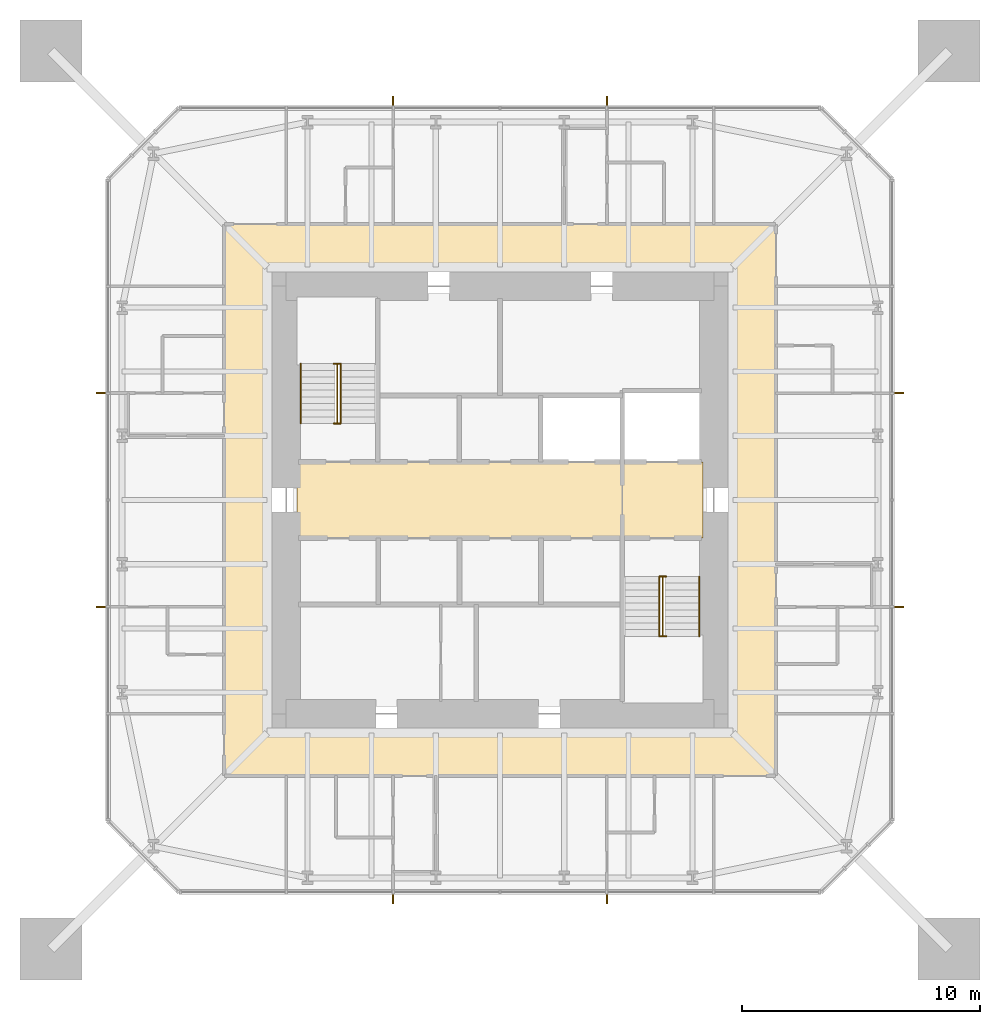
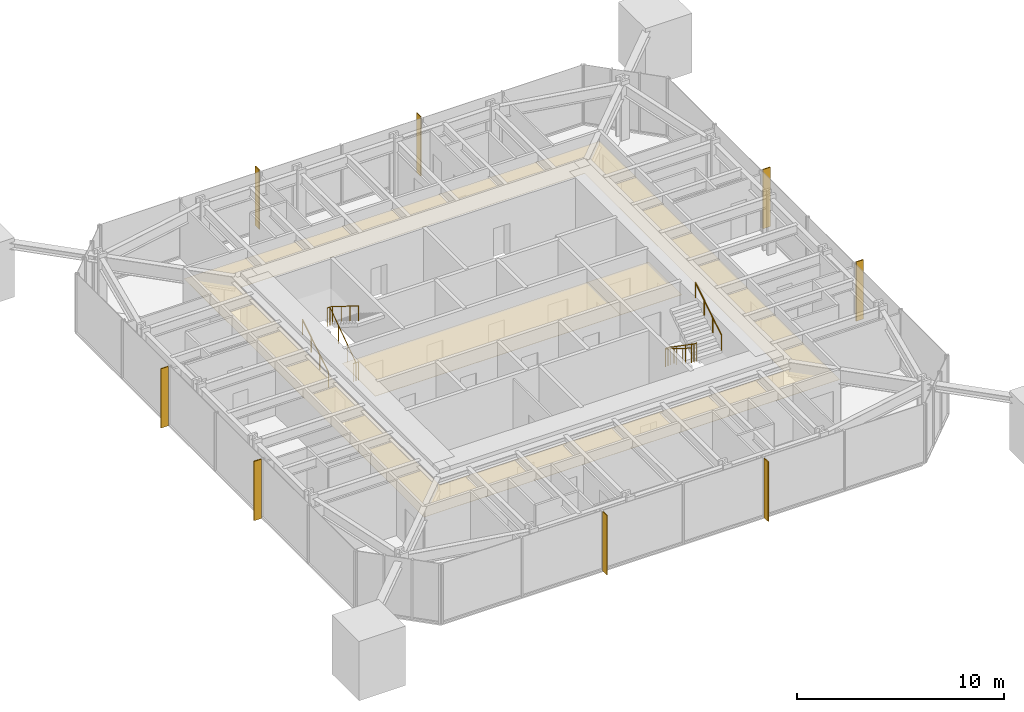
# One storey, part 9 of 9: 8 shading devices, 6 railings, 3 coverings.
"""IFC4 building model written with IfcOpenShell, lengths in metres."""

from ifc_helpers import new_model, si_unit, direction, frame, origin, origin_2d, place, context, subcontext, project, spatial, polyline, rectangle, circle, outline, extrude, material, layer, layer_set, constituent, constituent_set, type_object, element, save


model = new_model("IFC4")

# Units and contexts
model_context = context("Model", 3, precision=1e-05, world=origin(), true_north=direction((0.0, 1.0)))
body_context = subcontext(model_context, "Body", "Model", "MODEL_VIEW")
ifc_project = project(units=[si_unit("LENGTHUNIT", "METRE"), si_unit("AREAUNIT", "SQUARE_METRE"), si_unit("VOLUMEUNIT", "CUBIC_METRE"), si_unit("PLANEANGLEUNIT", "RADIAN"), si_unit("MASSUNIT", "GRAM", prefix="KILO")], contexts=[model_context])

# Site, building, storey
site_placement = place(None, origin())
site = spatial("IfcSite", under=ifc_project, at=site_placement, CompositionType="ELEMENT")
building_placement = place(site_placement, origin())
building = spatial("IfcBuilding", under=site, at=building_placement, Name="Iwan Alto Co-Living Towers", CompositionType="ELEMENT")
storey_placement = place(building_placement, frame((0.0, 0.0, 243.0)))
storey = spatial("IfcBuildingStorey", under=building, at=storey_placement, Name="L66", CompositionType="ELEMENT", Elevation=243.0)

# Coverings
ifc_material_1 = material(Name="Mineral fibre acoustic tiles on steel grid", Category="steel")
ifc_layer_1 = layer(ifc_material_1, 0.02001953125)
ifc_layer_set_1 = layer_set([ifc_layer_1], Name="ACOUSTIC TILE CEILING 20")
covering_type_1 = type_object("IfcCoveringType", Name="ACOUSTIC TILE CEILING 20", PredefinedType="CEILING", material=ifc_layer_set_1)
covering_1_placement = place(storey_placement, frame((0.0, 0.0, 2.60009765625)))
element("IfcCovering", 1, at=covering_1_placement, inside=storey, type_object=covering_type_1, Name="Ceiling Lift lobby L66", PredefinedType="CEILING", context=body_context, shape_type="SweptSolid", body=[
    extrude(outline(polyline([(-8.550048828125, -1.60009765625), (-8.550048828125, 1.60009765625), (5.14990234375, 1.60009765625), (5.14990234375, -1.60009765625), (-8.550048828125, -1.60009765625)])), origin(), (0.0, 0.0, 1.0), 0.02001953125),
])
covering_2_placement = place(storey_placement, frame((0.0, 0.0, 2.60009765625)))
element("IfcCovering", 2, at=covering_2_placement, inside=storey, type_object=covering_type_1, Name="Ceiling Firefighting lobby L66", PredefinedType="CEILING", context=body_context, shape_type="SweptSolid", body=[
    extrude(outline(polyline([(5.14990234375, -1.60009765625), (5.14990234375, 1.60009765625), (8.550048828125, 1.60009765625), (8.550048828125, -1.60009765625), (5.14990234375, -1.60009765625)])), origin(), (0.0, 0.0, 1.0), 0.02001953125),
])

# Shading devices
ifc_material_2 = material(Name="Aluminium 6063-T6 bronze anodised", Category="aluminium")
ifc_layer_2 = layer(ifc_material_2, 0.050048828125)
ifc_layer_set_2 = layer_set([ifc_layer_2], Name="BRONZE FIN 50X400")
shading_device_type = type_object("IfcShadingDeviceType", Name="BRONZE FIN 50X400", PredefinedType="USERDEFINED", material=ifc_layer_set_2)
for number, where, z_axis, x_axis, name in (
    (3, (-4.5, -16.800048828125, 0.0), (0.0, 0.0, 1.0), (1.0, 0.0, 0.0), "Bronze fin L66"),
    (4, (4.5, -16.800048828125, 0.0), (0.0, 0.0, 1.0), (1.0, 0.0, 0.0), "Bronze fin L66"),
    (5, (16.800048828125, -4.5, 0.0), (0.0, 0.0, 1.0), (0.0, 1.0, 0.0), "Bronze fin L66"),
    (6, (16.800048828125, 4.5, 0.0), (0.0, 0.0, 1.0), (0.0, 1.0, 0.0), "Bronze fin L66"),
    (7, (4.5, 16.800048828125, 0.0), (0.0, 0.0, 1.0), (-1.0, 0.0, 0.0), "Bronze fin L66"),
    (8, (-4.5, 16.800048828125, 0.0), (0.0, 0.0, 1.0), (-1.0, 0.0, 0.0), "Bronze fin L66"),
    (9, (-16.800048828125, 4.5, 0.0), (0.0, 0.0, 1.0), (0.0, -1.0, 0.0), "Bronze fin L66"),
    (10, (-16.800048828125, -4.5, 0.0), (0.0, 0.0, 1.0), (0.0, -1.0, 0.0), "Bronze fin L66"),
):
    element("IfcShadingDevice", number, at=place(storey_placement, frame(where, z_axis=z_axis, x_axis=x_axis)), inside=storey, type_object=shading_device_type, Name=name, ObjectType="LOUVER", PredefinedType="USERDEFINED", context=body_context, shape_type="SweptSolid", body=[
        extrude(rectangle(XDim=0.050048828125, YDim=0.39990234375, at=origin_2d()), origin(), (0.0, 0.0, 1.0), 3.5),
    ])

# Railings
ifc_material_3 = material(Name="Steel ASTM A500 Gr C", Category="steel")
ifc_constituent_1 = constituent(ifc_material_3, Name="Rails and posts", Category="Framing")
ifc_material_4 = material(Name="Steel ASTM A36", Category="steel")
ifc_constituent_2 = constituent(ifc_material_4, Name="Bar infill", Category="Infill")
ifc_constituent_set = constituent_set(constituents=[ifc_constituent_1, ifc_constituent_2], Name="STAIR GUARD 1100")
railing_type_1 = type_object("IfcRailingType", Name="STAIR GUARD 1100", PredefinedType="GUARDRAIL", material=ifc_constituent_set)
railing_1_placement = place(storey_placement, frame((-6.85009765625, 3.219970703125, 0.0)))
element("IfcRailing", 11, at=railing_1_placement, inside=storey, type_object=railing_type_1, Name="Stair T1-S1 well guard L66", PredefinedType="GUARDRAIL", context=body_context, shape_type="SweptSolid", body=[
    extrude(circle(Radius=0.02392578125, at=origin_2d()), frame((0.0, 0.0, 1.076171875), z_axis=(0.0, 0.821372036852, 0.570392826987), x_axis=(-1.0, 0.0, 0.0)), (0.0, 0.0, 1.0), 3.068115234375),
    extrude(circle(Radius=0.02392578125, at=origin_2d()), frame((-0.14990234375, 0.0, 1.076171875), z_axis=(1.0, 0.0, 0.0), x_axis=(0.0, 1.0, 0.0)), (0.0, 0.0, 1.0), 0.300048828125),
    extrude(circle(Radius=0.02392578125, at=origin_2d()), frame((-0.14990234375, 2.52001953125, 2.826171875), z_axis=(1.0, 0.0, 0.0), x_axis=(0.0, 1.0, 0.0)), (0.0, 0.0, 1.0), 0.300048828125),
    extrude(circle(Radius=0.02099609375, at=origin_2d()), origin(), (0.0, 0.0, 1.0), 1.052001953125),
    extrude(circle(Radius=0.02099609375, at=origin_2d()), frame((0.0, 0.840087890625, 0.583251953125)), (0.0, 0.0, 1.0), 1.052001953125),
    extrude(circle(Radius=0.02099609375, at=origin_2d()), frame((0.0, 1.679931640625, 1.166748046875)), (0.0, 0.0, 1.0), 1.052001953125),
    extrude(circle(Radius=0.02099609375, at=origin_2d()), frame((0.0, 2.52001953125, 1.75)), (0.0, 0.0, 1.0), 1.052001953125),
    extrude(circle(Radius=0.02099609375, at=origin_2d()), frame((-0.14990234375, 0.0, 0.0)), (0.0, 0.0, 1.0), 1.052001953125),
    extrude(circle(Radius=0.02099609375, at=origin_2d()), frame((0.150146484375, 0.0, 0.0)), (0.0, 0.0, 1.0), 1.052001953125),
    extrude(circle(Radius=0.02099609375, at=origin_2d()), frame((-0.14990234375, 2.52001953125, 1.75)), (0.0, 0.0, 1.0), 1.052001953125),
    extrude(circle(Radius=0.02099609375, at=origin_2d()), frame((0.150146484375, 2.52001953125, 1.75)), (0.0, 0.0, 1.0), 1.052001953125),
])
railing_2_placement = place(storey_placement, frame((6.85009765625, -3.219970703125, 0.0)))
element("IfcRailing", 12, at=railing_2_placement, inside=storey, type_object=railing_type_1, Name="Stair T1-S2 well guard L66", PredefinedType="GUARDRAIL", context=body_context, shape_type="SweptSolid", body=[
    extrude(circle(Radius=0.02392578125, at=origin_2d()), frame((0.0, 0.0, 1.076171875), z_axis=(0.0, -0.821372036852, 0.570392826987), x_axis=(1.0, 0.0, 0.0)), (0.0, 0.0, 1.0), 3.068115234375),
    extrude(circle(Radius=0.02392578125, at=origin_2d()), frame((-0.150146484375, 0.0, 1.076171875), z_axis=(1.0, 0.0, 0.0), x_axis=(0.0, 1.0, 0.0)), (0.0, 0.0, 1.0), 0.300048828125),
    extrude(circle(Radius=0.02392578125, at=origin_2d()), frame((-0.150146484375, -2.52001953125, 2.826171875), z_axis=(1.0, 0.0, 0.0), x_axis=(0.0, 1.0, 0.0)), (0.0, 0.0, 1.0), 0.300048828125),
    extrude(circle(Radius=0.02099609375, at=origin_2d()), origin(), (0.0, 0.0, 1.0), 1.052001953125),
    extrude(circle(Radius=0.02099609375, at=origin_2d()), frame((0.0, -0.840087890625, 0.583251953125)), (0.0, 0.0, 1.0), 1.052001953125),
    extrude(circle(Radius=0.02099609375, at=origin_2d()), frame((0.0, -1.679931640625, 1.166748046875)), (0.0, 0.0, 1.0), 1.052001953125),
    extrude(circle(Radius=0.02099609375, at=origin_2d()), frame((0.0, -2.52001953125, 1.75)), (0.0, 0.0, 1.0), 1.052001953125),
    extrude(circle(Radius=0.02099609375, at=origin_2d()), frame((-0.150146484375, 0.0, 0.0)), (0.0, 0.0, 1.0), 1.052001953125),
    extrude(circle(Radius=0.02099609375, at=origin_2d()), frame((0.14990234375, 0.0, 0.0)), (0.0, 0.0, 1.0), 1.052001953125),
    extrude(circle(Radius=0.02099609375, at=origin_2d()), frame((-0.150146484375, -2.52001953125, 1.75)), (0.0, 0.0, 1.0), 1.052001953125),
    extrude(circle(Radius=0.02099609375, at=origin_2d()), frame((0.14990234375, -2.52001953125, 1.75)), (0.0, 0.0, 1.0), 1.052001953125),
])
ifc_material_5 = material(Name="Steel ASTM A500 Gr C", Category="steel")
railing_type_2 = type_object("IfcRailingType", Name="STAIR HANDRAIL 900", PredefinedType="HANDRAIL", material=ifc_material_5)
railing_3_placement = place(storey_placement, frame((-8.3798828125, 3.219970703125, 0.175048828125)))
element("IfcRailing", 13, at=railing_3_placement, inside=storey, type_object=railing_type_2, Name="Stair T1-S1 handrail 1 L66", PredefinedType="HANDRAIL", context=body_context, shape_type="SweptSolid", body=[
    extrude(circle(Radius=0.02392578125, at=origin_2d()), frame((0.0, 0.0, 0.8759765625), z_axis=(0.0, 0.848007534815, 0.529984170421), x_axis=(-1.0, 0.0, 0.0)), (0.0, 0.0, 1.0), 2.9716796875),
    extrude(circle(Radius=0.02099609375, at=origin_2d()), origin(), (0.0, 0.0, 1.0), 0.851806640625),
    extrude(circle(Radius=0.02099609375, at=origin_2d()), frame((0.0, 0.840087890625, 0.52490234375)), (0.0, 0.0, 1.0), 0.851806640625),
    extrude(circle(Radius=0.02099609375, at=origin_2d()), frame((0.0, 1.679931640625, 1.050048828125)), (0.0, 0.0, 1.0), 0.851806640625),
    extrude(circle(Radius=0.02099609375, at=origin_2d()), frame((0.0, 2.52001953125, 1.574951171875)), (0.0, 0.0, 1.0), 0.851806640625),
])
for number, where, name in (
    (14, (-6.699951171875, 5.739990234375, 1.925048828125), "Stair T1-S1 handrail 2 L66"),
    (15, (6.699951171875, -3.219970703125, 0.175048828125), "Stair T1-S2 handrail 1 L66"),
):
    element("IfcRailing", number, at=place(storey_placement, frame(where)), inside=storey, type_object=railing_type_2, Name=name, PredefinedType="HANDRAIL", context=body_context, shape_type="SweptSolid", body=[
        extrude(circle(Radius=0.02392578125, at=origin_2d()), frame((0.0, 0.0, 0.8759765625), z_axis=(0.0, -0.848007534815, 0.529984170421), x_axis=(1.0, 0.0, 0.0)), (0.0, 0.0, 1.0), 2.9716796875),
        extrude(circle(Radius=0.02099609375, at=origin_2d()), origin(), (0.0, 0.0, 1.0), 0.851806640625),
        extrude(circle(Radius=0.02099609375, at=origin_2d()), frame((0.0, -0.840087890625, 0.52490234375)), (0.0, 0.0, 1.0), 0.851806640625),
        extrude(circle(Radius=0.02099609375, at=origin_2d()), frame((0.0, -1.679931640625, 1.050048828125)), (0.0, 0.0, 1.0), 0.851806640625),
        extrude(circle(Radius=0.02099609375, at=origin_2d()), frame((0.0, -2.52001953125, 1.574951171875)), (0.0, 0.0, 1.0), 0.851806640625),
    ])
railing_4_placement = place(storey_placement, frame((8.3798828125, -5.739990234375, 1.925048828125)))
element("IfcRailing", 16, at=railing_4_placement, inside=storey, type_object=railing_type_2, Name="Stair T1-S2 handrail 2 L66", PredefinedType="HANDRAIL", context=body_context, shape_type="SweptSolid", body=[
    extrude(circle(Radius=0.02392578125, at=origin_2d()), frame((0.0, 0.0, 0.8759765625), z_axis=(0.0, 0.848007534815, 0.529984170421), x_axis=(-1.0, 0.0, 0.0)), (0.0, 0.0, 1.0), 2.9716796875),
    extrude(circle(Radius=0.02099609375, at=origin_2d()), origin(), (0.0, 0.0, 1.0), 0.851806640625),
    extrude(circle(Radius=0.02099609375, at=origin_2d()), frame((0.0, 0.840087890625, 0.52490234375)), (0.0, 0.0, 1.0), 0.851806640625),
    extrude(circle(Radius=0.02099609375, at=origin_2d()), frame((0.0, 1.679931640625, 1.050048828125)), (0.0, 0.0, 1.0), 0.851806640625),
    extrude(circle(Radius=0.02099609375, at=origin_2d()), frame((0.0, 2.52001953125, 1.574951171875)), (0.0, 0.0, 1.0), 0.851806640625),
])

# Covering
ifc_material_6 = material(Name="Gypsum plasterboard on steel grid", Category="steel")
ifc_layer_3 = layer(ifc_material_6, 0.014892578125)
ifc_layer_set_3 = layer_set([ifc_layer_3], Name="SUSPENDED PLASTERBOARD CEILING 15")
covering_type_2 = type_object("IfcCoveringType", Name="SUSPENDED PLASTERBOARD CEILING 15", PredefinedType="CEILING", material=ifc_layer_set_3)
covering_3_placement = place(storey_placement, frame((0.0, 0.0, 2.60009765625)))
element("IfcCovering", 17, at=covering_3_placement, inside=storey, type_object=covering_type_2, Name="Ceiling Corridor L66", PredefinedType="CEILING", context=body_context, shape_type="SweptSolid", body=[
    extrude(outline(polyline([(-11.60009765625, 11.60009765625), (11.60009765625, 11.60009765625), (11.60009765625, -11.60009765625), (-11.60009765625, -11.60009765625), (-11.60009765625, 11.60009765625)]), holes=[polyline([(-9.60009765625, 9.60009765625), (-9.60009765625, -9.60009765625), (9.60009765625, -9.60009765625), (9.60009765625, 9.60009765625), (-9.60009765625, 9.60009765625)])]), origin(), (0.0, 0.0, 1.0), 0.014892578125),
])

save(model, "model.ifc")
